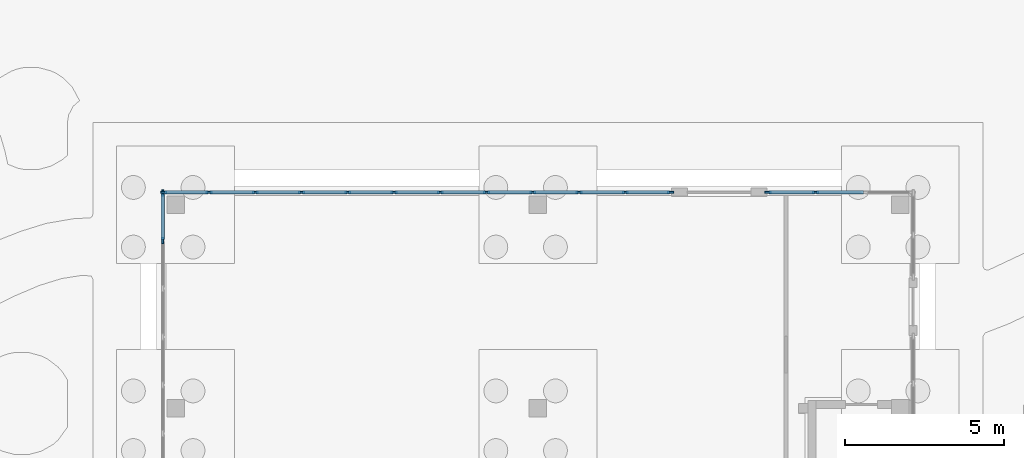
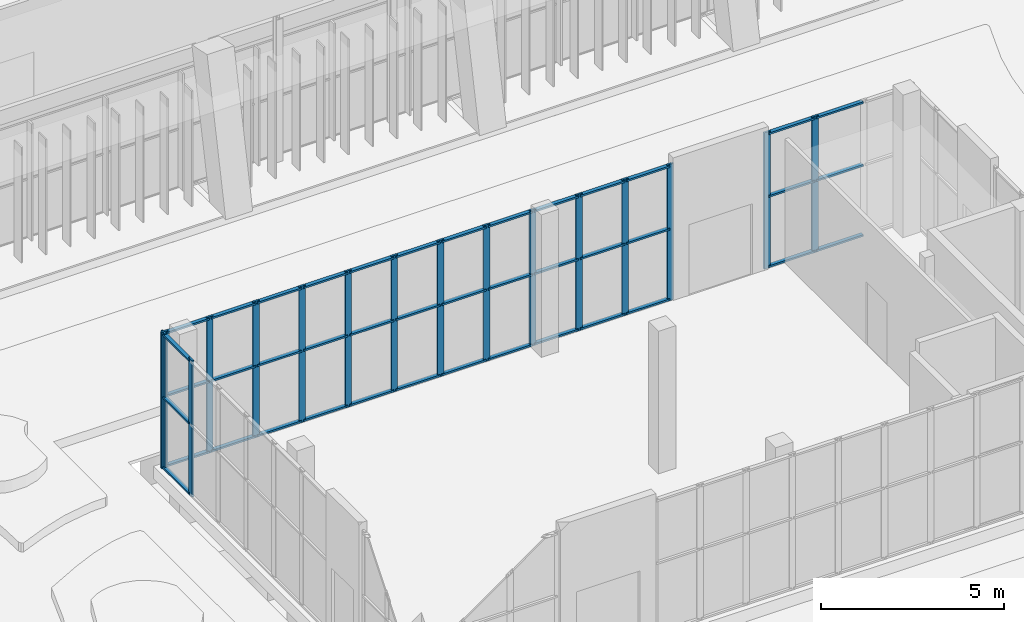
# One storey, part 56 of 144: 58 members, 3 elements without a shape of their own.
"""IFC4 building model written with IfcOpenShell, lengths in metres."""

import ifcopenshell
import ifcopenshell.guid

model = None  # the IFC model being written
_history = None  # IfcOwnerHistory: only IFC2X3 demands one
_inside = {}  # id of a spatial element -> (the spatial element, [elements in it])
_under = {}  # id of a project, library or spatial element -> (it, [spatial elements below it])
_declared = {}  # id of a project -> (the project, [libraries it declares])
_typed = {}  # id of a type object -> (the type object, [elements of that type])
_made_of = {}  # id of a material, layer set ... -> (it, [elements and type objects made of it])


def new_model(schema):
    """Start an empty IFC model of exactly this schema.

    Asked for "IFC4X3", IfcOpenShell would pick the latest addendum, in which some entities
    have other attributes; the version numbers below select the first issue.
    IFC2X3 requires an IfcOwnerHistory on every rooted entity: one is made here for all.
    """
    global model, _history
    if schema == "IFC4X3":
        model = ifcopenshell.file(schema_version=(4, 3, 0, 0))
    else:
        model = ifcopenshell.file(schema=schema)
    _inside.clear()
    _under.clear()
    _declared.clear()
    _typed.clear()
    _made_of.clear()
    _history = None
    if model.schema == "IFC2X3":
        org = make("IfcOrganization", Name="unknown")
        user = make(
            "IfcPersonAndOrganization",
            ThePerson=make("IfcPerson", FamilyName="unknown"),
            TheOrganization=org,
        )
        app = make(
            "IfcApplication",
            ApplicationDeveloper=org,
            Version="unknown",
            ApplicationFullName="unknown",
            ApplicationIdentifier="unknown",
        )
        _history = make(
            "IfcOwnerHistory",
            OwningUser=user,
            OwningApplication=app,
            ChangeAction="ADDED",
            CreationDate=0,
        )
    return model


def make(cls, **values):
    """One entity of the class cls with the attributes given. An attribute that is None is left unset."""
    return model.create_entity(
        cls, **{name: value for name, value in values.items() if value is not None}
    )


def rooted(cls, **values):
    """An entity with a GlobalId (a new one), such as an element, a storey or a relation."""
    return make(cls, GlobalId=ifcopenshell.guid.new(), OwnerHistory=_history, **values)


def si_unit(unit_type, name, prefix=None):
    """IfcSIUnit, for example si_unit("LENGTHUNIT", "METRE", prefix="MILLI")."""
    return make("IfcSIUnit", UnitType=unit_type, Prefix=prefix, Name=name)


def assignment(units):
    """IfcUnitAssignment: the units of a project."""
    return None if units is None else make("IfcUnitAssignment", Units=units)


def point(xyz):
    """IfcCartesianPoint."""
    return None if xyz is None else make("IfcCartesianPoint", Coordinates=xyz)


def direction(xyz):
    """IfcDirection."""
    return None if xyz is None else make("IfcDirection", DirectionRatios=xyz)


def frame(location, z_axis=None, x_axis=None):
    """IfcAxis2Placement3D, a coordinate frame: its origin and axes. An axis left out is left unset."""
    return make(
        "IfcAxis2Placement3D",
        Location=point(location),
        Axis=direction(z_axis),
        RefDirection=direction(x_axis),
    )


def frame_2d(location, x_axis=None):
    """IfcAxis2Placement2D, a coordinate frame in the plane: its origin and x axis."""
    return make(
        "IfcAxis2Placement2D", Location=point(location), RefDirection=direction(x_axis)
    )


def origin():
    """The frame at (0, 0, 0) with its axes left unset."""
    return frame((0.0, 0.0, 0.0))


def origin_2d():
    """The frame at (0, 0) in the plane with its x axis left unset."""
    return frame_2d((0.0, 0.0))


def place(relative_to, where):
    """IfcLocalPlacement: puts the frame where relative to a parent placement (None: the world)."""
    return make(
        "IfcLocalPlacement", PlacementRelTo=relative_to, RelativePlacement=where
    )


def context(
    kind, dimensions, precision=None, world=None, true_north=None, identifier=None
):
    """IfcGeometricRepresentationContext, for example the 3D "Model" context."""
    return make(
        "IfcGeometricRepresentationContext",
        ContextIdentifier=identifier,
        ContextType=kind,
        CoordinateSpaceDimension=dimensions,
        Precision=precision,
        WorldCoordinateSystem=world,
        TrueNorth=true_north,
    )


def subcontext(parent, identifier, kind, view, scale=None):
    """IfcGeometricRepresentationSubContext, for example "Body" below "Model"."""
    return make(
        "IfcGeometricRepresentationSubContext",
        ContextIdentifier=identifier,
        ContextType=kind,
        ParentContext=parent,
        TargetScale=scale,
        TargetView=view,
    )


def project(units=None, contexts=None):
    """IfcProject with its units and contexts."""
    return rooted(
        "IfcProject",
        Name="project",
        RepresentationContexts=contexts,
        UnitsInContext=assignment(units),
    )


def spatial(cls, under=None, at=None, **own):
    """A site, building, storey or space (cls), placed at a placement, below another one or the project."""
    s = rooted(cls, ObjectPlacement=at, **own)
    if under is not None:
        _under.setdefault(under.id(), (under, []))[1].append(s)
    return s


def profile(cls, at=None, kind="AREA", **sizes):
    """A parametric profile (cls). Its sizes go by their IFC names, for example OverallWidth=200.0."""
    return make(cls, ProfileType=kind, Position=at, **sizes)


def rectangle(**sizes):
    """IfcRectangleProfileDef."""
    return profile("IfcRectangleProfileDef", **sizes)


def extrude(swept, where, along, depth):
    """IfcExtrudedAreaSolid: the profile swept, set in the frame where, extruded along a direction by depth."""
    return make(
        "IfcExtrudedAreaSolid",
        SweptArea=swept,
        Position=where,
        ExtrudedDirection=direction(along),
        Depth=depth,
    )


def shape(context_of_items, identifier, shape_type, items):
    """IfcShapeRepresentation: the items that make up one representation, for example the "Body"."""
    return make(
        "IfcShapeRepresentation",
        ContextOfItems=context_of_items,
        RepresentationIdentifier=identifier,
        RepresentationType=shape_type,
        Items=items,
    )


def material(Name=None, Category=None):
    """IfcMaterial."""
    return make("IfcMaterial", Name=Name, Category=Category)


def layer(
    of_material, thickness, ventilated=None, Name=None, Category=None, Priority=None
):
    """IfcMaterialLayer: one layer of a wall or slab, of a material (None: an air gap)."""
    return make(
        "IfcMaterialLayer",
        Material=of_material,
        LayerThickness=thickness,
        IsVentilated=ventilated,
        Name=Name,
        Category=Category,
        Priority=Priority,
    )


def layer_set(layers, Name=None):
    """IfcMaterialLayerSet."""
    return make("IfcMaterialLayerSet", MaterialLayers=layers, LayerSetName=Name)


def material_profile(
    of_material, cross_section, Name=None, Category=None, Priority=None
):
    """IfcMaterialProfile: a cross section and its material."""
    return make(
        "IfcMaterialProfile",
        Name=Name,
        Material=of_material,
        Profile=cross_section,
        Priority=Priority,
        Category=Category,
    )


def profile_set(profiles, Name=None, composite=None):
    """IfcMaterialProfileSet."""
    return make(
        "IfcMaterialProfileSet",
        Name=Name,
        MaterialProfiles=profiles,
        CompositeProfile=composite,
    )


def made_of(thing, what):
    """Note that an element or type object is made of a material, layer set ...; save() writes the relation."""
    if what is not None:
        _made_of.setdefault(what.id(), (what, []))[1].append(thing)
    return thing


def type_object(cls, material=None, **own):
    """A type object (cls), such as IfcWallType, which elements share."""
    return made_of(rooted(cls, **own), material)


def element(
    cls,
    number,
    at=None,
    inside=None,
    cuts=None,
    type_object=None,
    material=None,
    context=None,
    identifier="Body",
    shape_type=None,
    held_by="IfcProductDefinitionShape",
    body=None,
    shapes=None,
    **own,
):
    """One element of the class cls, such as IfcWall. Its Tag is "e" and its number.

    at: its placement. inside: the storey or other place that contains it. cuts: it is an
    opening in that element (IfcRelVoidsElement). A single representation is given by context,
    identifier, shape_type and body (its items); several are given by shapes. held_by: the class
    of the entity that holds the representations. save() writes the other relations.
    """
    e = rooted(cls, Tag="e%d" % number, ObjectPlacement=at, **own)
    if body is not None:
        shapes = [shape(context, identifier, shape_type, body)]
    if shapes is not None:
        e.Representation = make(held_by, Representations=shapes)
    if inside is not None:
        _inside.setdefault(inside.id(), (inside, []))[1].append(e)
    if cuts is not None:
        rooted(
            "IfcRelVoidsElement", RelatingBuildingElement=cuts, RelatedOpeningElement=e
        )
    if type_object is not None:
        _typed.setdefault(type_object.id(), (type_object, []))[1].append(e)
    return made_of(e, material)


def aggregate(whole, parts):
    """IfcRelAggregates: a whole, such as a stair, and the parts it consists of."""
    return rooted("IfcRelAggregates", RelatingObject=whole, RelatedObjects=parts)


def save(model, path):
    """Write the relations noted so far, then the file.

    IfcRelAggregates (storeys below a building ...), IfcRelContainedInSpatialStructure (elements
    in a storey), IfcRelDefinesByType, IfcRelAssociatesMaterial and IfcRelDeclares: one each for
    every whole, place, type object, material and project.
    """
    for whole, parts in _under.values():
        aggregate(whole, parts)
    for where, things in _inside.values():
        rooted(
            "IfcRelContainedInSpatialStructure",
            RelatedElements=things,
            RelatingStructure=where,
        )
    for kind, things in _typed.values():
        rooted("IfcRelDefinesByType", RelatedObjects=things, RelatingType=kind)
    for what, things in _made_of.values():
        rooted("IfcRelAssociatesMaterial", RelatedObjects=things, RelatingMaterial=what)
    for by, libraries in _declared.values():
        rooted("IfcRelDeclares", RelatingContext=by, RelatedDefinitions=libraries)
    model.write(path)


model = new_model("IFC4")

# Units and contexts
model_context = context("Model", 3, precision=1e-05, world=origin(), true_north=direction((0.0, 1.0)))
body_context = subcontext(model_context, "Body", "Model", "MODEL_VIEW")
ifc_project = project(units=[si_unit("LENGTHUNIT", "METRE"), si_unit("AREAUNIT", "SQUARE_METRE"), si_unit("VOLUMEUNIT", "CUBIC_METRE"), si_unit("PLANEANGLEUNIT", "RADIAN"), si_unit("MASSUNIT", "GRAM", prefix="KILO")], contexts=[model_context])

# Site, building, storey
site_placement = place(None, origin())
site = spatial("IfcSite", under=ifc_project, at=site_placement, CompositionType="ELEMENT")
building_placement = place(site_placement, origin())
building = spatial("IfcBuilding", under=site, at=building_placement, Name="Lantern Court Media Centre", CompositionType="ELEMENT")
storey_placement = place(building_placement, origin())
storey = spatial("IfcBuildingStorey", under=building, at=storey_placement, Name="L00", CompositionType="ELEMENT", Elevation=0.0)

# Curtain wall, members
ifc_material_1 = material(Name="Aluminium and glass", Category="aluminium")
ifc_layer = layer(ifc_material_1, 0.14990234375)
ifc_layer_set = layer_set([ifc_layer], Name="Aluminium and glass")
curtain_wall_type = type_object("IfcCurtainWallType", Name="Hall lancet glazing", PredefinedType="NOTDEFINED", material=ifc_layer_set)
curtain_wall_1_placement = place(storey_placement, origin())
curtain_wall_1 = element("IfcCurtainWall", 1, at=curtain_wall_1_placement, inside=storey, type_object=curtain_wall_type, Name="Press box glazing N 1", PredefinedType="NOTDEFINED")
ifc_material_2 = material(Name="Aluminium, anodised", Category="aluminium")
ifc_material_profile_1 = material_profile(ifc_material_2, rectangle(XDim=0.06005859375, YDim=0.199951171875, at=origin_2d()), Name="HM")
ifc_profile_set_1 = profile_set([ifc_material_profile_1], Name="Aluminium, anodised")
member_type_1 = type_object("IfcMemberType", Name="HM", PredefinedType="MULLION", material=ifc_profile_set_1)
member_1_placement = place(storey_placement, frame((40.22998046875, 86.800048828125, 0.0), z_axis=(0.0, 0.0, 1.0), x_axis=(0.0, 1.0, 0.0)))
member_1 = element("IfcMember", 2, at=member_1_placement, type_object=member_type_1, Name="HCW-PN1 mullion 1", PredefinedType="MULLION", context=body_context, shape_type="SweptSolid", body=[
    extrude(rectangle(XDim=0.06005859375, YDim=0.199951171875, at=origin_2d()), origin(), (0.0, 0.0, 1.0), 4.550048828125),
])
member_2_placement = place(storey_placement, frame((41.654541015625, 86.800048828125, 0.0), z_axis=(0.0, 0.0, 1.0), x_axis=(0.0, 1.0, 0.0)))
member_2 = element("IfcMember", 3, at=member_2_placement, type_object=member_type_1, Name="HCW-PN1 mullion 2", PredefinedType="MULLION", context=body_context, shape_type="SweptSolid", body=[
    extrude(rectangle(XDim=0.06005859375, YDim=0.199951171875, at=origin_2d()), origin(), (0.0, 0.0, 1.0), 4.550048828125),
])
member_3_placement = place(storey_placement, frame((43.109130859375, 86.800048828125, 0.0), z_axis=(0.0, 0.0, 1.0), x_axis=(0.0, 1.0, 0.0)))
member_3 = element("IfcMember", 4, at=member_3_placement, type_object=member_type_1, Name="HCW-PN1 mullion 3", PredefinedType="MULLION", context=body_context, shape_type="SweptSolid", body=[
    extrude(rectangle(XDim=0.06005859375, YDim=0.199951171875, at=origin_2d()), origin(), (0.0, 0.0, 1.0), 4.550048828125),
])
member_4_placement = place(storey_placement, frame((44.563720703125, 86.800048828125, 0.0), z_axis=(0.0, 0.0, 1.0), x_axis=(0.0, 1.0, 0.0)))
member_4 = element("IfcMember", 5, at=member_4_placement, type_object=member_type_1, Name="HCW-PN1 mullion 4", PredefinedType="MULLION", context=body_context, shape_type="SweptSolid", body=[
    extrude(rectangle(XDim=0.06005859375, YDim=0.199951171875, at=origin_2d()), origin(), (0.0, 0.0, 1.0), 4.550048828125),
])
member_5_placement = place(storey_placement, frame((46.01806640625, 86.800048828125, 0.0), z_axis=(0.0, 0.0, 1.0), x_axis=(0.0, 1.0, 0.0)))
member_5 = element("IfcMember", 6, at=member_5_placement, type_object=member_type_1, Name="HCW-PN1 mullion 5", PredefinedType="MULLION", context=body_context, shape_type="SweptSolid", body=[
    extrude(rectangle(XDim=0.06005859375, YDim=0.199951171875, at=origin_2d()), origin(), (0.0, 0.0, 1.0), 4.550048828125),
])
member_6_placement = place(storey_placement, frame((47.47265625, 86.800048828125, 0.0), z_axis=(0.0, 0.0, 1.0), x_axis=(0.0, 1.0, 0.0)))
member_6 = element("IfcMember", 7, at=member_6_placement, type_object=member_type_1, Name="HCW-PN1 mullion 6", PredefinedType="MULLION", context=body_context, shape_type="SweptSolid", body=[
    extrude(rectangle(XDim=0.06005859375, YDim=0.199951171875, at=origin_2d()), origin(), (0.0, 0.0, 1.0), 4.550048828125),
])
member_7_placement = place(storey_placement, frame((48.92724609375, 86.800048828125, 0.0), z_axis=(0.0, 0.0, 1.0), x_axis=(0.0, 1.0, 0.0)))
member_7 = element("IfcMember", 8, at=member_7_placement, type_object=member_type_1, Name="HCW-PN1 mullion 7", PredefinedType="MULLION", context=body_context, shape_type="SweptSolid", body=[
    extrude(rectangle(XDim=0.06005859375, YDim=0.199951171875, at=origin_2d()), origin(), (0.0, 0.0, 1.0), 4.550048828125),
])
member_8_placement = place(storey_placement, frame((50.3818359375, 86.800048828125, 0.0), z_axis=(0.0, 0.0, 1.0), x_axis=(0.0, 1.0, 0.0)))
member_8 = element("IfcMember", 9, at=member_8_placement, type_object=member_type_1, Name="HCW-PN1 mullion 8", PredefinedType="MULLION", context=body_context, shape_type="SweptSolid", body=[
    extrude(rectangle(XDim=0.06005859375, YDim=0.199951171875, at=origin_2d()), origin(), (0.0, 0.0, 1.0), 4.550048828125),
])
member_9_placement = place(storey_placement, frame((51.83642578125, 86.800048828125, 0.0), z_axis=(0.0, 0.0, 1.0), x_axis=(0.0, 1.0, 0.0)))
member_9 = element("IfcMember", 10, at=member_9_placement, type_object=member_type_1, Name="HCW-PN1 mullion 9", PredefinedType="MULLION", context=body_context, shape_type="SweptSolid", body=[
    extrude(rectangle(XDim=0.06005859375, YDim=0.199951171875, at=origin_2d()), origin(), (0.0, 0.0, 1.0), 4.550048828125),
])
member_10_placement = place(storey_placement, frame((53.291015625, 86.800048828125, 0.0), z_axis=(0.0, 0.0, 1.0), x_axis=(0.0, 1.0, 0.0)))
member_10 = element("IfcMember", 11, at=member_10_placement, type_object=member_type_1, Name="HCW-PN1 mullion 10", PredefinedType="MULLION", context=body_context, shape_type="SweptSolid", body=[
    extrude(rectangle(XDim=0.06005859375, YDim=0.199951171875, at=origin_2d()), origin(), (0.0, 0.0, 1.0), 4.550048828125),
])
member_11_placement = place(storey_placement, frame((54.745361328125, 86.800048828125, 0.0), z_axis=(0.0, 0.0, 1.0), x_axis=(0.0, 1.0, 0.0)))
member_11 = element("IfcMember", 12, at=member_11_placement, type_object=member_type_1, Name="HCW-PN1 mullion 11", PredefinedType="MULLION", context=body_context, shape_type="SweptSolid", body=[
    extrude(rectangle(XDim=0.06005859375, YDim=0.199951171875, at=origin_2d()), origin(), (0.0, 0.0, 1.0), 4.550048828125),
])
member_12_placement = place(storey_placement, frame((56.169921875, 86.800048828125, 0.0), z_axis=(0.0, 0.0, 1.0), x_axis=(0.0, 1.0, 0.0)))
member_12 = element("IfcMember", 13, at=member_12_placement, type_object=member_type_1, Name="HCW-PN1 mullion 12", PredefinedType="MULLION", context=body_context, shape_type="SweptSolid", body=[
    extrude(rectangle(XDim=0.06005859375, YDim=0.199951171875, at=origin_2d()), origin(), (0.0, 0.0, 1.0), 4.550048828125),
])

curtain_wall_2_placement = place(storey_placement, origin())
curtain_wall_2 = element("IfcCurtainWall", 14, at=curtain_wall_2_placement, inside=storey, type_object=curtain_wall_type, Name="Press box glazing N 2", PredefinedType="NOTDEFINED")
member_13_placement = place(storey_placement, frame((59.22998046875, 86.800048828125, 0.0), z_axis=(0.0, 0.0, 1.0), x_axis=(0.0, 1.0, 0.0)))
member_13 = element("IfcMember", 15, at=member_13_placement, type_object=member_type_1, Name="HCW-PN2 mullion 1", PredefinedType="MULLION", context=body_context, shape_type="SweptSolid", body=[
    extrude(rectangle(XDim=0.06005859375, YDim=0.199951171875, at=origin_2d()), origin(), (0.0, 0.0, 1.0), 4.550048828125),
])
member_14_placement = place(storey_placement, frame((60.7333984375, 86.800048828125, 0.0), z_axis=(0.0, 0.0, 1.0), x_axis=(0.0, 1.0, 0.0)))
member_14 = element("IfcMember", 16, at=member_14_placement, type_object=member_type_1, Name="HCW-PN2 mullion 2", PredefinedType="MULLION", context=body_context, shape_type="SweptSolid", body=[
    extrude(rectangle(XDim=0.06005859375, YDim=0.199951171875, at=origin_2d()), origin(), (0.0, 0.0, 1.0), 4.550048828125),
])

curtain_wall_3_placement = place(storey_placement, origin())
curtain_wall_3 = element("IfcCurtainWall", 17, at=curtain_wall_3_placement, inside=storey, type_object=curtain_wall_type, Name="Press box glazing W 2", PredefinedType="NOTDEFINED")
member_15_placement = place(storey_placement, frame((40.199951171875, 85.283447265625, 0.0), z_axis=(0.0, 0.0, 1.0), x_axis=(-1.0, 0.0, 0.0)))
member_15 = element("IfcMember", 18, at=member_15_placement, type_object=member_type_1, Name="HCW-PW2 mullion 6", PredefinedType="MULLION", context=body_context, shape_type="SweptSolid", body=[
    extrude(rectangle(XDim=0.06005859375, YDim=0.199951171875, at=origin_2d()), origin(), (0.0, 0.0, 1.0), 4.550048828125),
])
member_16_placement = place(storey_placement, frame((40.199951171875, 86.77001953125, 0.0), z_axis=(0.0, 0.0, 1.0), x_axis=(-1.0, 0.0, 0.0)))
member_16 = element("IfcMember", 19, at=member_16_placement, type_object=member_type_1, Name="HCW-PW2 mullion 7", PredefinedType="MULLION", context=body_context, shape_type="SweptSolid", body=[
    extrude(rectangle(XDim=0.06005859375, YDim=0.199951171875, at=origin_2d()), origin(), (0.0, 0.0, 1.0), 4.550048828125),
])

# Member
ifc_material_profile_2 = material_profile(ifc_material_2, rectangle(XDim=0.1201171875, YDim=0.06005859375, at=origin_2d()), Name="HT")
ifc_profile_set_2 = profile_set([ifc_material_profile_2], Name="Aluminium, anodised")
member_type_2 = type_object("IfcMemberType", Name="HT", PredefinedType="USERDEFINED", material=ifc_profile_set_2)
member_17_placement = place(storey_placement, frame((40.260009765625, 86.800048828125, 0.06005859375), z_axis=(1.0, 0.0, 0.0), x_axis=(0.0, 1.0, 0.0)))
member_17 = element("IfcMember", 20, at=member_17_placement, type_object=member_type_2, Name="HCW-PN1 transom 1.1", ObjectType="TRANSOM", PredefinedType="USERDEFINED", context=body_context, shape_type="SweptSolid", body=[
    extrude(rectangle(XDim=0.1201171875, YDim=0.06005859375, at=origin_2d()), origin(), (0.0, 0.0, 1.0), 1.364501953125),
])

member_18_placement = place(storey_placement, frame((40.260009765625, 86.800048828125, 2.39990234375), z_axis=(1.0, 0.0, 0.0), x_axis=(0.0, 1.0, 0.0)))
member_18 = element("IfcMember", 21, at=member_18_placement, type_object=member_type_2, Name="HCW-PN1 transom 1.2", ObjectType="TRANSOM", PredefinedType="USERDEFINED", context=body_context, shape_type="SweptSolid", body=[
    extrude(rectangle(XDim=0.1201171875, YDim=0.06005859375, at=origin_2d()), origin(), (0.0, 0.0, 1.0), 1.364501953125),
])

member_19_placement = place(storey_placement, frame((40.260009765625, 86.800048828125, 4.489990234375), z_axis=(1.0, 0.0, 0.0), x_axis=(0.0, 1.0, 0.0)))
member_19 = element("IfcMember", 22, at=member_19_placement, type_object=member_type_2, Name="HCW-PN1 transom 1.3", ObjectType="TRANSOM", PredefinedType="USERDEFINED", context=body_context, shape_type="SweptSolid", body=[
    extrude(rectangle(XDim=0.1201171875, YDim=0.06005859375, at=origin_2d()), origin(), (0.0, 0.0, 1.0), 1.364501953125),
])

member_20_placement = place(storey_placement, frame((41.6845703125, 86.800048828125, 0.06005859375), z_axis=(1.0, 0.0, 0.0), x_axis=(0.0, 1.0, 0.0)))
member_20 = element("IfcMember", 23, at=member_20_placement, type_object=member_type_2, Name="HCW-PN1 transom 2.1", ObjectType="TRANSOM", PredefinedType="USERDEFINED", context=body_context, shape_type="SweptSolid", body=[
    extrude(rectangle(XDim=0.1201171875, YDim=0.06005859375, at=origin_2d()), origin(), (0.0, 0.0, 1.0), 1.39453125),
])

member_21_placement = place(storey_placement, frame((41.6845703125, 86.800048828125, 2.39990234375), z_axis=(1.0, 0.0, 0.0), x_axis=(0.0, 1.0, 0.0)))
member_21 = element("IfcMember", 24, at=member_21_placement, type_object=member_type_2, Name="HCW-PN1 transom 2.2", ObjectType="TRANSOM", PredefinedType="USERDEFINED", context=body_context, shape_type="SweptSolid", body=[
    extrude(rectangle(XDim=0.1201171875, YDim=0.06005859375, at=origin_2d()), origin(), (0.0, 0.0, 1.0), 1.39453125),
])

member_22_placement = place(storey_placement, frame((41.6845703125, 86.800048828125, 4.489990234375), z_axis=(1.0, 0.0, 0.0), x_axis=(0.0, 1.0, 0.0)))
member_22 = element("IfcMember", 25, at=member_22_placement, type_object=member_type_2, Name="HCW-PN1 transom 2.3", ObjectType="TRANSOM", PredefinedType="USERDEFINED", context=body_context, shape_type="SweptSolid", body=[
    extrude(rectangle(XDim=0.1201171875, YDim=0.06005859375, at=origin_2d()), origin(), (0.0, 0.0, 1.0), 1.39453125),
])

member_23_placement = place(storey_placement, frame((43.13916015625, 86.800048828125, 0.06005859375), z_axis=(1.0, 0.0, 0.0), x_axis=(0.0, 1.0, 0.0)))
member_23 = element("IfcMember", 26, at=member_23_placement, type_object=member_type_2, Name="HCW-PN1 transom 3.1", ObjectType="TRANSOM", PredefinedType="USERDEFINED", context=body_context, shape_type="SweptSolid", body=[
    extrude(rectangle(XDim=0.1201171875, YDim=0.06005859375, at=origin_2d()), origin(), (0.0, 0.0, 1.0), 1.39453125),
])

member_24_placement = place(storey_placement, frame((43.13916015625, 86.800048828125, 2.39990234375), z_axis=(1.0, 0.0, 0.0), x_axis=(0.0, 1.0, 0.0)))
member_24 = element("IfcMember", 27, at=member_24_placement, type_object=member_type_2, Name="HCW-PN1 transom 3.2", ObjectType="TRANSOM", PredefinedType="USERDEFINED", context=body_context, shape_type="SweptSolid", body=[
    extrude(rectangle(XDim=0.1201171875, YDim=0.06005859375, at=origin_2d()), origin(), (0.0, 0.0, 1.0), 1.39453125),
])

member_25_placement = place(storey_placement, frame((43.13916015625, 86.800048828125, 4.489990234375), z_axis=(1.0, 0.0, 0.0), x_axis=(0.0, 1.0, 0.0)))
member_25 = element("IfcMember", 28, at=member_25_placement, type_object=member_type_2, Name="HCW-PN1 transom 3.3", ObjectType="TRANSOM", PredefinedType="USERDEFINED", context=body_context, shape_type="SweptSolid", body=[
    extrude(rectangle(XDim=0.1201171875, YDim=0.06005859375, at=origin_2d()), origin(), (0.0, 0.0, 1.0), 1.39453125),
])

member_26_placement = place(storey_placement, frame((44.59375, 86.800048828125, 0.06005859375), z_axis=(1.0, 0.0, 0.0), x_axis=(0.0, 1.0, 0.0)))
member_26 = element("IfcMember", 29, at=member_26_placement, type_object=member_type_2, Name="HCW-PN1 transom 4.1", ObjectType="TRANSOM", PredefinedType="USERDEFINED", context=body_context, shape_type="SweptSolid", body=[
    extrude(rectangle(XDim=0.1201171875, YDim=0.06005859375, at=origin_2d()), origin(), (0.0, 0.0, 1.0), 1.39453125),
])

member_27_placement = place(storey_placement, frame((44.59375, 86.800048828125, 2.39990234375), z_axis=(1.0, 0.0, 0.0), x_axis=(0.0, 1.0, 0.0)))
member_27 = element("IfcMember", 30, at=member_27_placement, type_object=member_type_2, Name="HCW-PN1 transom 4.2", ObjectType="TRANSOM", PredefinedType="USERDEFINED", context=body_context, shape_type="SweptSolid", body=[
    extrude(rectangle(XDim=0.1201171875, YDim=0.06005859375, at=origin_2d()), origin(), (0.0, 0.0, 1.0), 1.39453125),
])

member_28_placement = place(storey_placement, frame((44.59375, 86.800048828125, 4.489990234375), z_axis=(1.0, 0.0, 0.0), x_axis=(0.0, 1.0, 0.0)))
member_28 = element("IfcMember", 31, at=member_28_placement, type_object=member_type_2, Name="HCW-PN1 transom 4.3", ObjectType="TRANSOM", PredefinedType="USERDEFINED", context=body_context, shape_type="SweptSolid", body=[
    extrude(rectangle(XDim=0.1201171875, YDim=0.06005859375, at=origin_2d()), origin(), (0.0, 0.0, 1.0), 1.39453125),
])

member_29_placement = place(storey_placement, frame((46.048095703125, 86.800048828125, 0.06005859375), z_axis=(1.0, 0.0, 0.0), x_axis=(0.0, 1.0, 0.0)))
member_29 = element("IfcMember", 32, at=member_29_placement, type_object=member_type_2, Name="HCW-PN1 transom 5.1", ObjectType="TRANSOM", PredefinedType="USERDEFINED", context=body_context, shape_type="SweptSolid", body=[
    extrude(rectangle(XDim=0.1201171875, YDim=0.06005859375, at=origin_2d()), origin(), (0.0, 0.0, 1.0), 1.39453125),
])

member_30_placement = place(storey_placement, frame((46.048095703125, 86.800048828125, 2.39990234375), z_axis=(1.0, 0.0, 0.0), x_axis=(0.0, 1.0, 0.0)))
member_30 = element("IfcMember", 33, at=member_30_placement, type_object=member_type_2, Name="HCW-PN1 transom 5.2", ObjectType="TRANSOM", PredefinedType="USERDEFINED", context=body_context, shape_type="SweptSolid", body=[
    extrude(rectangle(XDim=0.1201171875, YDim=0.06005859375, at=origin_2d()), origin(), (0.0, 0.0, 1.0), 1.39453125),
])

member_31_placement = place(storey_placement, frame((46.048095703125, 86.800048828125, 4.489990234375), z_axis=(1.0, 0.0, 0.0), x_axis=(0.0, 1.0, 0.0)))
member_31 = element("IfcMember", 34, at=member_31_placement, type_object=member_type_2, Name="HCW-PN1 transom 5.3", ObjectType="TRANSOM", PredefinedType="USERDEFINED", context=body_context, shape_type="SweptSolid", body=[
    extrude(rectangle(XDim=0.1201171875, YDim=0.06005859375, at=origin_2d()), origin(), (0.0, 0.0, 1.0), 1.39453125),
])

member_32_placement = place(storey_placement, frame((47.502685546875, 86.800048828125, 0.06005859375), z_axis=(1.0, 0.0, 0.0), x_axis=(0.0, 1.0, 0.0)))
member_32 = element("IfcMember", 35, at=member_32_placement, type_object=member_type_2, Name="HCW-PN1 transom 6.1", ObjectType="TRANSOM", PredefinedType="USERDEFINED", context=body_context, shape_type="SweptSolid", body=[
    extrude(rectangle(XDim=0.1201171875, YDim=0.06005859375, at=origin_2d()), origin(), (0.0, 0.0, 1.0), 1.39453125),
])

member_33_placement = place(storey_placement, frame((47.502685546875, 86.800048828125, 2.39990234375), z_axis=(1.0, 0.0, 0.0), x_axis=(0.0, 1.0, 0.0)))
member_33 = element("IfcMember", 36, at=member_33_placement, type_object=member_type_2, Name="HCW-PN1 transom 6.2", ObjectType="TRANSOM", PredefinedType="USERDEFINED", context=body_context, shape_type="SweptSolid", body=[
    extrude(rectangle(XDim=0.1201171875, YDim=0.06005859375, at=origin_2d()), origin(), (0.0, 0.0, 1.0), 1.39453125),
])

member_34_placement = place(storey_placement, frame((47.502685546875, 86.800048828125, 4.489990234375), z_axis=(1.0, 0.0, 0.0), x_axis=(0.0, 1.0, 0.0)))
member_34 = element("IfcMember", 37, at=member_34_placement, type_object=member_type_2, Name="HCW-PN1 transom 6.3", ObjectType="TRANSOM", PredefinedType="USERDEFINED", context=body_context, shape_type="SweptSolid", body=[
    extrude(rectangle(XDim=0.1201171875, YDim=0.06005859375, at=origin_2d()), origin(), (0.0, 0.0, 1.0), 1.39453125),
])

member_35_placement = place(storey_placement, frame((48.957275390625, 86.800048828125, 0.06005859375), z_axis=(1.0, 0.0, 0.0), x_axis=(0.0, 1.0, 0.0)))
member_35 = element("IfcMember", 38, at=member_35_placement, type_object=member_type_2, Name="HCW-PN1 transom 7.1", ObjectType="TRANSOM", PredefinedType="USERDEFINED", context=body_context, shape_type="SweptSolid", body=[
    extrude(rectangle(XDim=0.1201171875, YDim=0.06005859375, at=origin_2d()), origin(), (0.0, 0.0, 1.0), 1.39453125),
])

member_36_placement = place(storey_placement, frame((48.957275390625, 86.800048828125, 2.39990234375), z_axis=(1.0, 0.0, 0.0), x_axis=(0.0, 1.0, 0.0)))
member_36 = element("IfcMember", 39, at=member_36_placement, type_object=member_type_2, Name="HCW-PN1 transom 7.2", ObjectType="TRANSOM", PredefinedType="USERDEFINED", context=body_context, shape_type="SweptSolid", body=[
    extrude(rectangle(XDim=0.1201171875, YDim=0.06005859375, at=origin_2d()), origin(), (0.0, 0.0, 1.0), 1.39453125),
])

member_37_placement = place(storey_placement, frame((48.957275390625, 86.800048828125, 4.489990234375), z_axis=(1.0, 0.0, 0.0), x_axis=(0.0, 1.0, 0.0)))
member_37 = element("IfcMember", 40, at=member_37_placement, type_object=member_type_2, Name="HCW-PN1 transom 7.3", ObjectType="TRANSOM", PredefinedType="USERDEFINED", context=body_context, shape_type="SweptSolid", body=[
    extrude(rectangle(XDim=0.1201171875, YDim=0.06005859375, at=origin_2d()), origin(), (0.0, 0.0, 1.0), 1.39453125),
])

member_38_placement = place(storey_placement, frame((50.411865234375, 86.800048828125, 0.06005859375), z_axis=(1.0, 0.0, 0.0), x_axis=(0.0, 1.0, 0.0)))
member_38 = element("IfcMember", 41, at=member_38_placement, type_object=member_type_2, Name="HCW-PN1 transom 8.1", ObjectType="TRANSOM", PredefinedType="USERDEFINED", context=body_context, shape_type="SweptSolid", body=[
    extrude(rectangle(XDim=0.1201171875, YDim=0.06005859375, at=origin_2d()), origin(), (0.0, 0.0, 1.0), 1.39453125),
])

member_39_placement = place(storey_placement, frame((50.411865234375, 86.800048828125, 2.39990234375), z_axis=(1.0, 0.0, 0.0), x_axis=(0.0, 1.0, 0.0)))
member_39 = element("IfcMember", 42, at=member_39_placement, type_object=member_type_2, Name="HCW-PN1 transom 8.2", ObjectType="TRANSOM", PredefinedType="USERDEFINED", context=body_context, shape_type="SweptSolid", body=[
    extrude(rectangle(XDim=0.1201171875, YDim=0.06005859375, at=origin_2d()), origin(), (0.0, 0.0, 1.0), 1.39453125),
])

member_40_placement = place(storey_placement, frame((50.411865234375, 86.800048828125, 4.489990234375), z_axis=(1.0, 0.0, 0.0), x_axis=(0.0, 1.0, 0.0)))
member_40 = element("IfcMember", 43, at=member_40_placement, type_object=member_type_2, Name="HCW-PN1 transom 8.3", ObjectType="TRANSOM", PredefinedType="USERDEFINED", context=body_context, shape_type="SweptSolid", body=[
    extrude(rectangle(XDim=0.1201171875, YDim=0.06005859375, at=origin_2d()), origin(), (0.0, 0.0, 1.0), 1.39453125),
])

member_41_placement = place(storey_placement, frame((51.866455078125, 86.800048828125, 0.06005859375), z_axis=(1.0, 0.0, 0.0), x_axis=(0.0, 1.0, 0.0)))
member_41 = element("IfcMember", 44, at=member_41_placement, type_object=member_type_2, Name="HCW-PN1 transom 9.1", ObjectType="TRANSOM", PredefinedType="USERDEFINED", context=body_context, shape_type="SweptSolid", body=[
    extrude(rectangle(XDim=0.1201171875, YDim=0.06005859375, at=origin_2d()), origin(), (0.0, 0.0, 1.0), 1.39453125),
])

member_42_placement = place(storey_placement, frame((51.866455078125, 86.800048828125, 2.39990234375), z_axis=(1.0, 0.0, 0.0), x_axis=(0.0, 1.0, 0.0)))
member_42 = element("IfcMember", 45, at=member_42_placement, type_object=member_type_2, Name="HCW-PN1 transom 9.2", ObjectType="TRANSOM", PredefinedType="USERDEFINED", context=body_context, shape_type="SweptSolid", body=[
    extrude(rectangle(XDim=0.1201171875, YDim=0.06005859375, at=origin_2d()), origin(), (0.0, 0.0, 1.0), 1.39453125),
])

member_43_placement = place(storey_placement, frame((51.866455078125, 86.800048828125, 4.489990234375), z_axis=(1.0, 0.0, 0.0), x_axis=(0.0, 1.0, 0.0)))
member_43 = element("IfcMember", 46, at=member_43_placement, type_object=member_type_2, Name="HCW-PN1 transom 9.3", ObjectType="TRANSOM", PredefinedType="USERDEFINED", context=body_context, shape_type="SweptSolid", body=[
    extrude(rectangle(XDim=0.1201171875, YDim=0.06005859375, at=origin_2d()), origin(), (0.0, 0.0, 1.0), 1.39453125),
])

member_44_placement = place(storey_placement, frame((53.32080078125, 86.800048828125, 0.06005859375), z_axis=(1.0, 0.0, 0.0), x_axis=(0.0, 1.0, 0.0)))
member_44 = element("IfcMember", 47, at=member_44_placement, type_object=member_type_2, Name="HCW-PN1 transom 10.1", ObjectType="TRANSOM", PredefinedType="USERDEFINED", context=body_context, shape_type="SweptSolid", body=[
    extrude(rectangle(XDim=0.1201171875, YDim=0.06005859375, at=origin_2d()), origin(), (0.0, 0.0, 1.0), 1.394775390625),
])

member_45_placement = place(storey_placement, frame((53.32080078125, 86.800048828125, 2.39990234375), z_axis=(1.0, 0.0, 0.0), x_axis=(0.0, 1.0, 0.0)))
member_45 = element("IfcMember", 48, at=member_45_placement, type_object=member_type_2, Name="HCW-PN1 transom 10.2", ObjectType="TRANSOM", PredefinedType="USERDEFINED", context=body_context, shape_type="SweptSolid", body=[
    extrude(rectangle(XDim=0.1201171875, YDim=0.06005859375, at=origin_2d()), origin(), (0.0, 0.0, 1.0), 1.394775390625),
])

member_46_placement = place(storey_placement, frame((53.32080078125, 86.800048828125, 4.489990234375), z_axis=(1.0, 0.0, 0.0), x_axis=(0.0, 1.0, 0.0)))
member_46 = element("IfcMember", 49, at=member_46_placement, type_object=member_type_2, Name="HCW-PN1 transom 10.3", ObjectType="TRANSOM", PredefinedType="USERDEFINED", context=body_context, shape_type="SweptSolid", body=[
    extrude(rectangle(XDim=0.1201171875, YDim=0.06005859375, at=origin_2d()), origin(), (0.0, 0.0, 1.0), 1.394775390625),
])

member_47_placement = place(storey_placement, frame((54.775390625, 86.800048828125, 0.06005859375), z_axis=(1.0, 0.0, 0.0), x_axis=(0.0, 1.0, 0.0)))
member_47 = element("IfcMember", 50, at=member_47_placement, type_object=member_type_2, Name="HCW-PN1 transom 11.1", ObjectType="TRANSOM", PredefinedType="USERDEFINED", context=body_context, shape_type="SweptSolid", body=[
    extrude(rectangle(XDim=0.1201171875, YDim=0.06005859375, at=origin_2d()), origin(), (0.0, 0.0, 1.0), 1.364501953125),
])

member_48_placement = place(storey_placement, frame((54.775390625, 86.800048828125, 2.39990234375), z_axis=(1.0, 0.0, 0.0), x_axis=(0.0, 1.0, 0.0)))
member_48 = element("IfcMember", 51, at=member_48_placement, type_object=member_type_2, Name="HCW-PN1 transom 11.2", ObjectType="TRANSOM", PredefinedType="USERDEFINED", context=body_context, shape_type="SweptSolid", body=[
    extrude(rectangle(XDim=0.1201171875, YDim=0.06005859375, at=origin_2d()), origin(), (0.0, 0.0, 1.0), 1.364501953125),
])

member_49_placement = place(storey_placement, frame((54.775390625, 86.800048828125, 4.489990234375), z_axis=(1.0, 0.0, 0.0), x_axis=(0.0, 1.0, 0.0)))
member_49 = element("IfcMember", 52, at=member_49_placement, type_object=member_type_2, Name="HCW-PN1 transom 11.3", ObjectType="TRANSOM", PredefinedType="USERDEFINED", context=body_context, shape_type="SweptSolid", body=[
    extrude(rectangle(XDim=0.1201171875, YDim=0.06005859375, at=origin_2d()), origin(), (0.0, 0.0, 1.0), 1.364501953125),
])

aggregate(curtain_wall_1, [member_1, member_2, member_3, member_4, member_5, member_6, member_7, member_8, member_9, member_10, member_11, member_12, member_17, member_18, member_19, member_20, member_21, member_22, member_23, member_24, member_25, member_26, member_27, member_28, member_29, member_30, member_31, member_32, member_33, member_34, member_35, member_36, member_37, member_38, member_39, member_40, member_41, member_42, member_43, member_44, member_45, member_46, member_47, member_48, member_49])

member_50_placement = place(storey_placement, frame((59.260009765625, 86.800048828125, 0.06005859375), z_axis=(1.0, 0.0, 0.0), x_axis=(0.0, 1.0, 0.0)))
member_50 = element("IfcMember", 53, at=member_50_placement, type_object=member_type_2, Name="HCW-PN2 transom 1.1", ObjectType="TRANSOM", PredefinedType="USERDEFINED", context=body_context, shape_type="SweptSolid", body=[
    extrude(rectangle(XDim=0.1201171875, YDim=0.06005859375, at=origin_2d()), origin(), (0.0, 0.0, 1.0), 1.443359375),
])

member_51_placement = place(storey_placement, frame((59.260009765625, 86.800048828125, 2.39990234375), z_axis=(1.0, 0.0, 0.0), x_axis=(0.0, 1.0, 0.0)))
member_51 = element("IfcMember", 54, at=member_51_placement, type_object=member_type_2, Name="HCW-PN2 transom 1.2", ObjectType="TRANSOM", PredefinedType="USERDEFINED", context=body_context, shape_type="SweptSolid", body=[
    extrude(rectangle(XDim=0.1201171875, YDim=0.06005859375, at=origin_2d()), origin(), (0.0, 0.0, 1.0), 1.443359375),
])

member_52_placement = place(storey_placement, frame((59.260009765625, 86.800048828125, 4.489990234375), z_axis=(1.0, 0.0, 0.0), x_axis=(0.0, 1.0, 0.0)))
member_52 = element("IfcMember", 55, at=member_52_placement, type_object=member_type_2, Name="HCW-PN2 transom 1.3", ObjectType="TRANSOM", PredefinedType="USERDEFINED", context=body_context, shape_type="SweptSolid", body=[
    extrude(rectangle(XDim=0.1201171875, YDim=0.06005859375, at=origin_2d()), origin(), (0.0, 0.0, 1.0), 1.443359375),
])

member_53_placement = place(storey_placement, frame((60.763427734375, 86.800048828125, 0.06005859375), z_axis=(1.0, 0.0, 0.0), x_axis=(0.0, 1.0, 0.0)))
member_53 = element("IfcMember", 56, at=member_53_placement, type_object=member_type_2, Name="HCW-PN2 transom 2.1", ObjectType="TRANSOM", PredefinedType="USERDEFINED", context=body_context, shape_type="SweptSolid", body=[
    extrude(rectangle(XDim=0.1201171875, YDim=0.06005859375, at=origin_2d()), origin(), (0.0, 0.0, 1.0), 1.47314453125),
])

member_54_placement = place(storey_placement, frame((60.763427734375, 86.800048828125, 2.39990234375), z_axis=(1.0, 0.0, 0.0), x_axis=(0.0, 1.0, 0.0)))
member_54 = element("IfcMember", 57, at=member_54_placement, type_object=member_type_2, Name="HCW-PN2 transom 2.2", ObjectType="TRANSOM", PredefinedType="USERDEFINED", context=body_context, shape_type="SweptSolid", body=[
    extrude(rectangle(XDim=0.1201171875, YDim=0.06005859375, at=origin_2d()), origin(), (0.0, 0.0, 1.0), 1.47314453125),
])

member_55_placement = place(storey_placement, frame((60.763427734375, 86.800048828125, 4.489990234375), z_axis=(1.0, 0.0, 0.0), x_axis=(0.0, 1.0, 0.0)))
member_55 = element("IfcMember", 58, at=member_55_placement, type_object=member_type_2, Name="HCW-PN2 transom 2.3", ObjectType="TRANSOM", PredefinedType="USERDEFINED", context=body_context, shape_type="SweptSolid", body=[
    extrude(rectangle(XDim=0.1201171875, YDim=0.06005859375, at=origin_2d()), origin(), (0.0, 0.0, 1.0), 1.47314453125),
])

aggregate(curtain_wall_2, [member_13, member_14, member_50, member_51, member_52, member_53, member_54, member_55])

member_56_placement = place(storey_placement, frame((40.199951171875, 85.313232421875, 0.06005859375), z_axis=(0.0, 1.0, 0.0), x_axis=(-1.0, 0.0, 0.0)))
member_56 = element("IfcMember", 59, at=member_56_placement, type_object=member_type_2, Name="HCW-PW2 transom 6.1", ObjectType="TRANSOM", PredefinedType="USERDEFINED", context=body_context, shape_type="SweptSolid", body=[
    extrude(rectangle(XDim=0.1201171875, YDim=0.06005859375, at=origin_2d()), origin(), (0.0, 0.0, 1.0), 1.4267578125),
])

member_57_placement = place(storey_placement, frame((40.199951171875, 85.313232421875, 2.39990234375), z_axis=(0.0, 1.0, 0.0), x_axis=(-1.0, 0.0, 0.0)))
member_57 = element("IfcMember", 60, at=member_57_placement, type_object=member_type_2, Name="HCW-PW2 transom 6.2", ObjectType="TRANSOM", PredefinedType="USERDEFINED", context=body_context, shape_type="SweptSolid", body=[
    extrude(rectangle(XDim=0.1201171875, YDim=0.06005859375, at=origin_2d()), origin(), (0.0, 0.0, 1.0), 1.4267578125),
])

member_58_placement = place(storey_placement, frame((40.199951171875, 85.313232421875, 4.489990234375), z_axis=(0.0, 1.0, 0.0), x_axis=(-1.0, 0.0, 0.0)))
member_58 = element("IfcMember", 61, at=member_58_placement, type_object=member_type_2, Name="HCW-PW2 transom 6.3", ObjectType="TRANSOM", PredefinedType="USERDEFINED", context=body_context, shape_type="SweptSolid", body=[
    extrude(rectangle(XDim=0.1201171875, YDim=0.06005859375, at=origin_2d()), origin(), (0.0, 0.0, 1.0), 1.4267578125),
])

aggregate(curtain_wall_3, [member_15, member_16, member_56, member_57, member_58])

save(model, "model.ifc")
